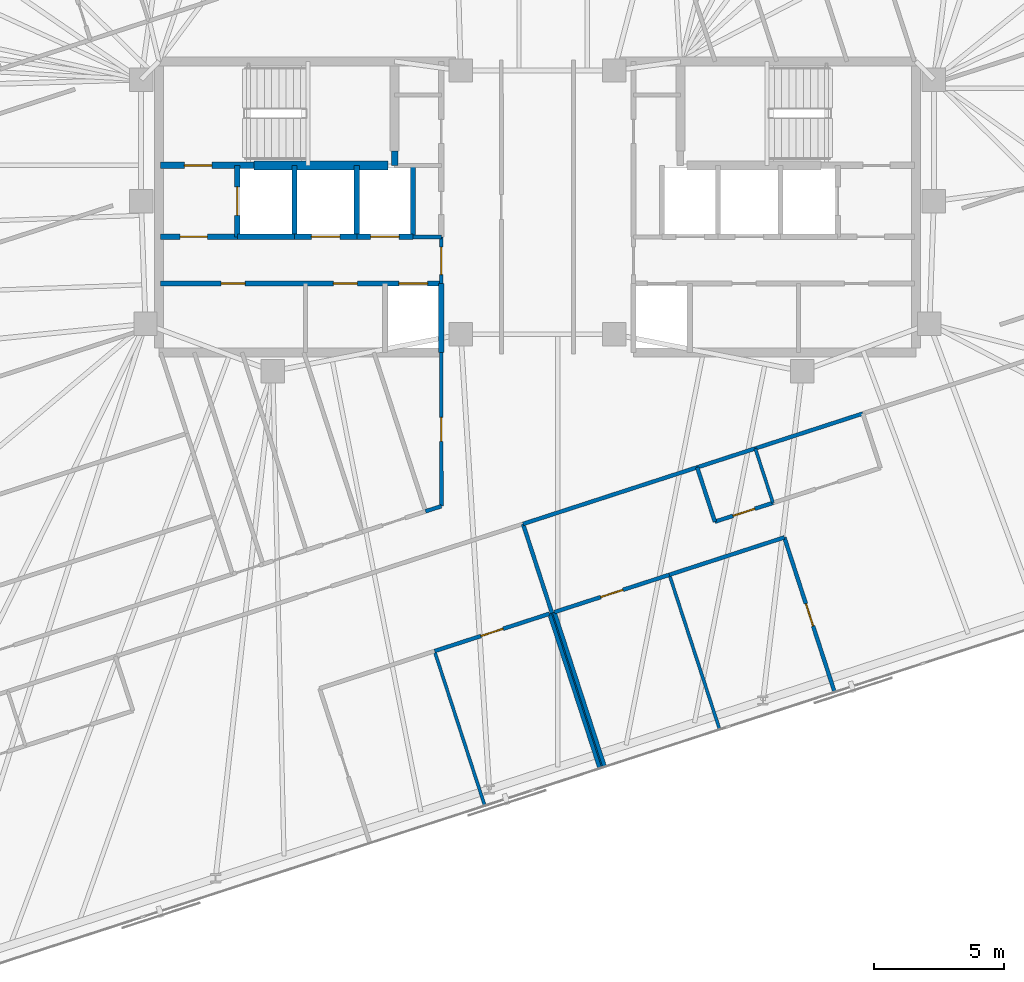
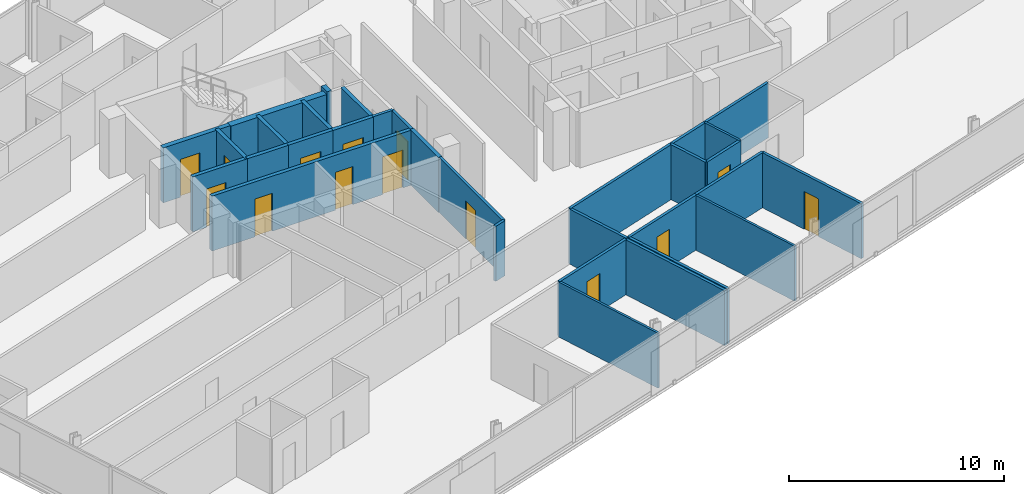
# One storey, part 14 of 20: 32 walls, 14 doors, 14 openings.
"""IFC4 building model written with IfcOpenShell, lengths in metres."""

import ifcopenshell
import ifcopenshell.guid

model = None  # the IFC model being written
_history = None  # IfcOwnerHistory: only IFC2X3 demands one
_inside = {}  # id of a spatial element -> (the spatial element, [elements in it])
_under = {}  # id of a project, library or spatial element -> (it, [spatial elements below it])
_declared = {}  # id of a project -> (the project, [libraries it declares])
_typed = {}  # id of a type object -> (the type object, [elements of that type])
_made_of = {}  # id of a material, layer set ... -> (it, [elements and type objects made of it])


def new_model(schema):
    """Start an empty IFC model of exactly this schema.

    Asked for "IFC4X3", IfcOpenShell would pick the latest addendum, in which some entities
    have other attributes; the version numbers below select the first issue.
    IFC2X3 requires an IfcOwnerHistory on every rooted entity: one is made here for all.
    """
    global model, _history
    if schema == "IFC4X3":
        model = ifcopenshell.file(schema_version=(4, 3, 0, 0))
    else:
        model = ifcopenshell.file(schema=schema)
    _inside.clear()
    _under.clear()
    _declared.clear()
    _typed.clear()
    _made_of.clear()
    _history = None
    if model.schema == "IFC2X3":
        org = make("IfcOrganization", Name="unknown")
        user = make(
            "IfcPersonAndOrganization",
            ThePerson=make("IfcPerson", FamilyName="unknown"),
            TheOrganization=org,
        )
        app = make(
            "IfcApplication",
            ApplicationDeveloper=org,
            Version="unknown",
            ApplicationFullName="unknown",
            ApplicationIdentifier="unknown",
        )
        _history = make(
            "IfcOwnerHistory",
            OwningUser=user,
            OwningApplication=app,
            ChangeAction="ADDED",
            CreationDate=0,
        )
    return model


def make(cls, **values):
    """One entity of the class cls with the attributes given. An attribute that is None is left unset."""
    return model.create_entity(
        cls, **{name: value for name, value in values.items() if value is not None}
    )


def rooted(cls, **values):
    """An entity with a GlobalId (a new one), such as an element, a storey or a relation."""
    return make(cls, GlobalId=ifcopenshell.guid.new(), OwnerHistory=_history, **values)


def si_unit(unit_type, name, prefix=None):
    """IfcSIUnit, for example si_unit("LENGTHUNIT", "METRE", prefix="MILLI")."""
    return make("IfcSIUnit", UnitType=unit_type, Prefix=prefix, Name=name)


def assignment(units):
    """IfcUnitAssignment: the units of a project."""
    return None if units is None else make("IfcUnitAssignment", Units=units)


def point(xyz):
    """IfcCartesianPoint."""
    return None if xyz is None else make("IfcCartesianPoint", Coordinates=xyz)


def direction(xyz):
    """IfcDirection."""
    return None if xyz is None else make("IfcDirection", DirectionRatios=xyz)


def frame(location, z_axis=None, x_axis=None):
    """IfcAxis2Placement3D, a coordinate frame: its origin and axes. An axis left out is left unset."""
    return make(
        "IfcAxis2Placement3D",
        Location=point(location),
        Axis=direction(z_axis),
        RefDirection=direction(x_axis),
    )


def frame_2d(location, x_axis=None):
    """IfcAxis2Placement2D, a coordinate frame in the plane: its origin and x axis."""
    return make(
        "IfcAxis2Placement2D", Location=point(location), RefDirection=direction(x_axis)
    )


def origin():
    """The frame at (0, 0, 0) with its axes left unset."""
    return frame((0.0, 0.0, 0.0))


def place(relative_to, where):
    """IfcLocalPlacement: puts the frame where relative to a parent placement (None: the world)."""
    return make(
        "IfcLocalPlacement", PlacementRelTo=relative_to, RelativePlacement=where
    )


def context(
    kind, dimensions, precision=None, world=None, true_north=None, identifier=None
):
    """IfcGeometricRepresentationContext, for example the 3D "Model" context."""
    return make(
        "IfcGeometricRepresentationContext",
        ContextIdentifier=identifier,
        ContextType=kind,
        CoordinateSpaceDimension=dimensions,
        Precision=precision,
        WorldCoordinateSystem=world,
        TrueNorth=true_north,
    )


def subcontext(parent, identifier, kind, view, scale=None):
    """IfcGeometricRepresentationSubContext, for example "Body" below "Model"."""
    return make(
        "IfcGeometricRepresentationSubContext",
        ContextIdentifier=identifier,
        ContextType=kind,
        ParentContext=parent,
        TargetScale=scale,
        TargetView=view,
    )


def project(units=None, contexts=None):
    """IfcProject with its units and contexts."""
    return rooted(
        "IfcProject",
        Name="project",
        RepresentationContexts=contexts,
        UnitsInContext=assignment(units),
    )


def spatial(cls, under=None, at=None, **own):
    """A site, building, storey or space (cls), placed at a placement, below another one or the project."""
    s = rooted(cls, ObjectPlacement=at, **own)
    if under is not None:
        _under.setdefault(under.id(), (under, []))[1].append(s)
    return s


def profile(cls, at=None, kind="AREA", **sizes):
    """A parametric profile (cls). Its sizes go by their IFC names, for example OverallWidth=200.0."""
    return make(cls, ProfileType=kind, Position=at, **sizes)


def rectangle(**sizes):
    """IfcRectangleProfileDef."""
    return profile("IfcRectangleProfileDef", **sizes)


def extrude(swept, where, along, depth):
    """IfcExtrudedAreaSolid: the profile swept, set in the frame where, extruded along a direction by depth."""
    return make(
        "IfcExtrudedAreaSolid",
        SweptArea=swept,
        Position=where,
        ExtrudedDirection=direction(along),
        Depth=depth,
    )


def shape(context_of_items, identifier, shape_type, items):
    """IfcShapeRepresentation: the items that make up one representation, for example the "Body"."""
    return make(
        "IfcShapeRepresentation",
        ContextOfItems=context_of_items,
        RepresentationIdentifier=identifier,
        RepresentationType=shape_type,
        Items=items,
    )


def material(Name=None, Category=None):
    """IfcMaterial."""
    return make("IfcMaterial", Name=Name, Category=Category)


def layer(
    of_material, thickness, ventilated=None, Name=None, Category=None, Priority=None
):
    """IfcMaterialLayer: one layer of a wall or slab, of a material (None: an air gap)."""
    return make(
        "IfcMaterialLayer",
        Material=of_material,
        LayerThickness=thickness,
        IsVentilated=ventilated,
        Name=Name,
        Category=Category,
        Priority=Priority,
    )


def layer_set(layers, Name=None):
    """IfcMaterialLayerSet."""
    return make("IfcMaterialLayerSet", MaterialLayers=layers, LayerSetName=Name)


def made_of(thing, what):
    """Note that an element or type object is made of a material, layer set ...; save() writes the relation."""
    if what is not None:
        _made_of.setdefault(what.id(), (what, []))[1].append(thing)
    return thing


def type_object(cls, material=None, **own):
    """A type object (cls), such as IfcWallType, which elements share."""
    return made_of(rooted(cls, **own), material)


def element(
    cls,
    number,
    at=None,
    inside=None,
    cuts=None,
    type_object=None,
    material=None,
    context=None,
    identifier="Body",
    shape_type=None,
    held_by="IfcProductDefinitionShape",
    body=None,
    shapes=None,
    **own,
):
    """One element of the class cls, such as IfcWall. Its Tag is "e" and its number.

    at: its placement. inside: the storey or other place that contains it. cuts: it is an
    opening in that element (IfcRelVoidsElement). A single representation is given by context,
    identifier, shape_type and body (its items); several are given by shapes. held_by: the class
    of the entity that holds the representations. save() writes the other relations.
    """
    e = rooted(cls, Tag="e%d" % number, ObjectPlacement=at, **own)
    if body is not None:
        shapes = [shape(context, identifier, shape_type, body)]
    if shapes is not None:
        e.Representation = make(held_by, Representations=shapes)
    if inside is not None:
        _inside.setdefault(inside.id(), (inside, []))[1].append(e)
    if cuts is not None:
        rooted(
            "IfcRelVoidsElement", RelatingBuildingElement=cuts, RelatedOpeningElement=e
        )
    if type_object is not None:
        _typed.setdefault(type_object.id(), (type_object, []))[1].append(e)
    return made_of(e, material)


def fill(opening, filler):
    """IfcRelFillsElement: the door or window that sits in an opening."""
    return rooted(
        "IfcRelFillsElement",
        RelatingOpeningElement=opening,
        RelatedBuildingElement=filler,
    )


def aggregate(whole, parts):
    """IfcRelAggregates: a whole, such as a stair, and the parts it consists of."""
    return rooted("IfcRelAggregates", RelatingObject=whole, RelatedObjects=parts)


def save(model, path):
    """Write the relations noted so far, then the file.

    IfcRelAggregates (storeys below a building ...), IfcRelContainedInSpatialStructure (elements
    in a storey), IfcRelDefinesByType, IfcRelAssociatesMaterial and IfcRelDeclares: one each for
    every whole, place, type object, material and project.
    """
    for whole, parts in _under.values():
        aggregate(whole, parts)
    for where, things in _inside.values():
        rooted(
            "IfcRelContainedInSpatialStructure",
            RelatedElements=things,
            RelatingStructure=where,
        )
    for kind, things in _typed.values():
        rooted("IfcRelDefinesByType", RelatedObjects=things, RelatingType=kind)
    for what, things in _made_of.values():
        rooted("IfcRelAssociatesMaterial", RelatedObjects=things, RelatingMaterial=what)
    for by, libraries in _declared.values():
        rooted("IfcRelDeclares", RelatingContext=by, RelatedDefinitions=libraries)
    model.write(path)


model = new_model("IFC4")

# Units and contexts
model_context = context("Model", 3, precision=1e-05, world=origin(), true_north=direction((0.0, 1.0)))
body_context = subcontext(model_context, "Body", "Model", "MODEL_VIEW")
ifc_project = project(units=[si_unit("LENGTHUNIT", "METRE"), si_unit("AREAUNIT", "SQUARE_METRE"), si_unit("VOLUMEUNIT", "CUBIC_METRE"), si_unit("PLANEANGLEUNIT", "RADIAN"), si_unit("MASSUNIT", "GRAM", prefix="KILO")], contexts=[model_context])

# Site, building, storey
site_placement = place(None, origin())
site = spatial("IfcSite", under=ifc_project, at=site_placement, CompositionType="ELEMENT")
building_placement = place(site_placement, origin())
building = spatial("IfcBuilding", under=site, at=building_placement, Name="Menara Jurai Vektor", CompositionType="ELEMENT")
storey_placement = place(building_placement, frame((0.0, 0.0, 244.39990234375)))
storey = spatial("IfcBuildingStorey", under=building, at=storey_placement, Name="L65", CompositionType="ELEMENT", Elevation=244.39990234375)

# Wall, opening, door
ifc_material_1 = material(Name="Concrete C40/50", Category="concrete")
ifc_layer_1 = layer(ifc_material_1, 0.25)
ifc_layer_set_1 = layer_set([ifc_layer_1], Name="Concrete C40/50")
wall_type_1 = type_object("IfcWallType", Name="INT-WALL-CORE-250", PredefinedType="STANDARD", material=ifc_layer_set_1)
wall_1_placement = place(storey_placement, frame((-14.5, 1.60009765625, 0.0), z_axis=(0.0, 0.0, 1.0), x_axis=(1.0, 0.0, 0.0)))
wall_1 = element("IfcWall", 1, at=wall_1_placement, inside=storey, type_object=wall_type_1, Name="Interior Wall IW-250 L65", PredefinedType="STANDARD", context=body_context, shape_type="SweptSolid", body=[
    extrude(rectangle(XDim=3.60009765625, YDim=0.25, at=frame_2d((1.800048828125, 0.0))), origin(), (0.0, 0.0, 1.0), 3.125),
])
opening_1_placement = place(wall_1_placement, frame((0.919921875, 0.0, 0.0)))
opening_1 = element("IfcOpeningElement", 2, at=opening_1_placement, cuts=wall_1, Name="Opening D-L65-ST1", PredefinedType="OPENING", context=body_context, shape_type="SweptSolid", body=[
    extrude(rectangle(XDim=1.050048828125, YDim=2.14990234375, at=frame_2d((0.52490234375, 1.074951171875))), frame((0.0, 0.135009765625, 0.0), z_axis=(0.0, -1.0, 0.0), x_axis=(1.0, 0.0, 0.0)), (0.0, 0.0, 1.0), 0.27001953125),
])
ifc_material_2 = material(Name="Fire-Rated Steel Door", Category="steel")
door_type_1 = type_object("IfcDoorType", Name="DR-STAIR-1050", OperationType="NOTDEFINED", PredefinedType="DOOR", material=ifc_material_2)
door_1_placement = place(opening_1_placement, origin())
door_1 = element("IfcDoor", 3, at=door_1_placement, inside=storey, type_object=door_type_1, Name="Exit Stair ST1 Door L65", OperationType="SINGLE_SWING_RIGHT", OverallHeight=2.14990234375, OverallWidth=1.050048828125, PredefinedType="DOOR", context=body_context, shape_type="SweptSolid", body=[
    extrude(rectangle(XDim=1.050048828125, YDim=2.14990234375, at=frame_2d((0.52490234375, 1.074951171875))), frame((0.0, 0.02490234375, 0.0), z_axis=(0.0, -1.0, 0.0), x_axis=(1.0, 0.0, 0.0)), (0.0, 0.0, 1.0), 0.050048828125),
])
fill(opening_1, door_1)

# Wall
wall_2_placement = place(storey_placement, frame((-5.5, 1.60009765625, 0.0), z_axis=(0.0, 0.0, 1.0), x_axis=(0.0, 1.0, 0.0)))
element("IfcWall", 4, at=wall_2_placement, inside=storey, type_object=wall_type_1, Name="Interior Wall IW-250 L65", PredefinedType="STANDARD", context=body_context, shape_type="SweptSolid", body=[
    extrude(rectangle(XDim=0.5498046875, YDim=0.25, at=frame_2d((0.27490234375, 0.0))), origin(), (0.0, 0.0, 1.0), 3.125),
])

# Wall, opening, door
wall_3_placement = place(storey_placement, frame((-11.550048828125, -1.14990234375, 0.0), z_axis=(0.0, 0.0, 1.0), x_axis=(0.0, 1.0, 0.0)))
wall_3 = element("IfcWall", 5, at=wall_3_placement, inside=storey, type_object=wall_type_1, Name="Interior Wall IW-250 L65", PredefinedType="STANDARD", context=body_context, shape_type="SweptSolid", body=[
    extrude(rectangle(XDim=2.75, YDim=0.199951171875, at=frame_2d((1.375, 0.0))), origin(), (0.0, 0.0, 1.0), 3.125),
])
opening_2_placement = place(wall_3_placement, frame((0.824951171875, 0.0, 0.0)))
opening_2 = element("IfcOpeningElement", 6, at=opening_2_placement, cuts=wall_3, Name="Opening LD-L65-FL1", PredefinedType="OPENING", context=body_context, shape_type="SweptSolid", body=[
    extrude(rectangle(XDim=1.10009765625, YDim=2.14990234375, at=frame_2d((0.550048828125, 1.074951171875))), frame((0.0, 0.10986328125, 0.0), z_axis=(0.0, -1.0, 0.0), x_axis=(1.0, 0.0, 0.0)), (0.0, 0.0, 1.0), 0.219970703125),
])
ifc_material_3 = material(Name="Stainless Steel Sliding Lift Landing Door", Category="steel")
door_type_2 = type_object("IfcDoorType", Name="DR-LIFT-FIRE-1100", OperationType="NOTDEFINED", PredefinedType="DOOR", material=ifc_material_3)
door_2_placement = place(opening_2_placement, origin())
door_2 = element("IfcDoor", 7, at=door_2_placement, inside=storey, type_object=door_type_2, Name="Lift Landing Door FL1 L65", OperationType="SLIDING_TO_RIGHT", OverallHeight=2.14990234375, OverallWidth=1.10009765625, PredefinedType="DOOR", context=body_context, shape_type="SweptSolid", body=[
    extrude(rectangle(XDim=1.10009765625, YDim=2.14990234375, at=frame_2d((0.550048828125, 1.074951171875))), frame((0.0, 0.02490234375, 0.0), z_axis=(0.0, -1.0, 0.0), x_axis=(1.0, 0.0, 0.0)), (0.0, 0.0, 1.0), 0.050048828125),
])
fill(opening_2, door_2)

# Wall
wall_4_placement = place(storey_placement, frame((-9.35009765625, -1.14990234375, 0.0), z_axis=(0.0, 0.0, 1.0), x_axis=(0.0, 1.0, 0.0)))
element("IfcWall", 8, at=wall_4_placement, inside=storey, type_object=wall_type_1, Name="Interior Wall IW-250 L65", PredefinedType="STANDARD", context=body_context, shape_type="SweptSolid", body=[
    extrude(rectangle(XDim=2.75, YDim=0.199951171875, at=frame_2d((1.375, 0.0))), origin(), (0.0, 0.0, 1.0), 3.125),
])

# Wall, opening, door
wall_5_placement = place(storey_placement, frame((-14.5, -1.14990234375, 0.0), z_axis=(0.0, 0.0, 1.0), x_axis=(1.0, 0.0, 0.0)))
wall_5 = element("IfcWall", 9, at=wall_5_placement, inside=storey, type_object=wall_type_1, Name="Interior Wall IW-250 L65", PredefinedType="STANDARD", context=body_context, shape_type="SweptSolid", body=[
    extrude(rectangle(XDim=2.949951171875, YDim=0.199951171875, at=frame_2d((1.47509765625, 0.0))), origin(), (0.0, 0.0, 1.0), 3.125),
])
opening_3_placement = place(wall_5_placement, frame((0.75, 0.0, 0.0)))
opening_3 = element("IfcOpeningElement", 10, at=opening_3_placement, cuts=wall_5, Name="Opening D-L65-FFW", PredefinedType="OPENING", context=body_context, shape_type="SweptSolid", body=[
    extrude(rectangle(XDim=1.050048828125, YDim=2.179931640625, at=frame_2d((0.52490234375, 1.08984375))), frame((0.0, 0.10986328125, 0.0), z_axis=(0.0, -1.0, 0.0), x_axis=(1.0, 0.0, 0.0)), (0.0, 0.0, 1.0), 0.219970703125),
])
ifc_material_4 = material(Name="Fire-Rated Timber Door", Category="wood")
door_type_3 = type_object("IfcDoorType", Name="DR-LOBBY-1050", OperationType="NOTDEFINED", PredefinedType="DOOR", material=ifc_material_4)
door_3_placement = place(opening_3_placement, origin())
door_3 = element("IfcDoor", 11, at=door_3_placement, inside=storey, type_object=door_type_3, Name="Fire Lift Lobby Door W L65", OperationType="SINGLE_SWING_RIGHT", OverallHeight=2.179931640625, OverallWidth=1.050048828125, PredefinedType="DOOR", context=body_context, shape_type="SweptSolid", body=[
    extrude(rectangle(XDim=1.050048828125, YDim=2.179931640625, at=frame_2d((0.52490234375, 1.08984375))), frame((0.0, 0.02490234375, 0.0), z_axis=(0.0, -1.0, 0.0), x_axis=(1.0, 0.0, 0.0)), (0.0, 0.0, 1.0), 0.050048828125),
])
fill(opening_3, door_3)

# Wall
wall_6_placement = place(storey_placement, frame((-11.550048828125, -1.14990234375, 0.0), z_axis=(0.0, 0.0, 1.0), x_axis=(1.0, 0.0, 0.0)))
element("IfcWall", 12, at=wall_6_placement, inside=storey, type_object=wall_type_1, Name="Interior Wall IW-250 L65", PredefinedType="STANDARD", context=body_context, shape_type="SweptSolid", body=[
    extrude(rectangle(XDim=2.199951171875, YDim=0.199951171875, at=frame_2d((1.10009765625, 0.0))), origin(), (0.0, 0.0, 1.0), 3.125),
])

# Wall, opening, door
ifc_material_5 = material(Name="Gypsum Fireboard Partition", Category="gypsum")
ifc_layer_2 = layer(ifc_material_5, 0.14990234375)
ifc_layer_set_2 = layer_set([ifc_layer_2], Name="Gypsum Fireboard Partition")
wall_type_2 = type_object("IfcWallType", Name="INT-WALL-CORR-150", PredefinedType="PARTITIONING", material=ifc_layer_set_2)
wall_7_placement = place(storey_placement, frame((-3.699951171875, -2.949951171875, 0.0), z_axis=(0.0, 0.0, 1.0), x_axis=(0.0, 1.0, 0.0)))
wall_7 = element("IfcWall", 13, at=wall_7_placement, inside=storey, type_object=wall_type_2, Name="Interior Wall IW-150 L65", PredefinedType="PARTITIONING", context=body_context, shape_type="SweptSolid", body=[
    extrude(rectangle(XDim=1.800048828125, YDim=0.14990234375, at=frame_2d((0.89990234375, 0.0))), origin(), (0.0, 0.0, 1.0), 3.125),
])
opening_4_placement = place(wall_7_placement, frame((0.35009765625, 0.0, 0.0)))
opening_4 = element("IfcOpeningElement", 14, at=opening_4_placement, cuts=wall_7, Name="Opening D-L65-LLW", PredefinedType="OPENING", context=body_context, shape_type="SweptSolid", body=[
    extrude(rectangle(XDim=1.050048828125, YDim=2.179931640625, at=frame_2d((0.52490234375, 1.08984375))), frame((0.0, 0.0849609375, 0.0), z_axis=(0.0, -1.0, 0.0), x_axis=(1.0, 0.0, 0.0)), (0.0, 0.0, 1.0), 0.169921875),
])
door_4_placement = place(opening_4_placement, origin())
door_4 = element("IfcDoor", 15, at=door_4_placement, inside=storey, type_object=door_type_3, Name="Lift Lobby Corridor Door W L65", OperationType="SINGLE_SWING_LEFT", OverallHeight=2.179931640625, OverallWidth=1.050048828125, PredefinedType="DOOR", context=body_context, shape_type="SweptSolid", body=[
    extrude(rectangle(XDim=1.050048828125, YDim=2.179931640625, at=frame_2d((0.52490234375, 1.08984375))), frame((0.0, 0.02490234375, 0.0), z_axis=(0.0, -1.0, 0.0), x_axis=(1.0, 0.0, 0.0)), (0.0, 0.0, 1.0), 0.050048828125),
])
fill(opening_4, door_4)

# Walls
wall_8_placement = place(storey_placement, frame((-4.7900390625, -1.14990234375, 0.0), z_axis=(0.0, 0.0, 1.0), x_axis=(1.0, 0.0, 0.0)))
element("IfcWall", 16, at=wall_8_placement, inside=storey, type_object=wall_type_2, Name="Interior Wall IW-150 L65", PredefinedType="PARTITIONING", context=body_context, shape_type="SweptSolid", body=[
    extrude(rectangle(XDim=1.090087890625, YDim=0.14990234375, at=frame_2d((0.544921875, 0.0))), origin(), (0.0, 0.0, 1.0), 3.125),
])
wall_9_placement = place(storey_placement, frame((-0.55517578125, -12.1953125, 0.0), z_axis=(0.0, 0.0, 1.0), x_axis=(0.951057495482, 0.309013980732, 0.0)))
element("IfcWall", 17, at=wall_9_placement, inside=storey, type_object=wall_type_2, Name="Interior Wall IW-150 L65", PredefinedType="PARTITIONING", context=body_context, shape_type="SweptSolid", body=[
    extrude(rectangle(XDim=7.044921875, YDim=0.14990234375, at=frame_2d((3.5224609375, 0.0))), origin(), (0.0, 0.0, 1.0), 3.125),
])
wall_10_placement = place(storey_placement, frame((6.14501953125, -10.018310546875, 0.0), z_axis=(0.0, 0.0, 1.0), x_axis=(0.951035595692, 0.309081373955, 0.0)))
element("IfcWall", 18, at=wall_10_placement, inside=storey, type_object=wall_type_2, Name="Interior Wall IW-150 L65", PredefinedType="PARTITIONING", context=body_context, shape_type="SweptSolid", body=[
    extrude(rectangle(XDim=2.349853515625, YDim=0.14990234375, at=frame_2d((1.1748046875, 0.0))), origin(), (0.0, 0.0, 1.0), 3.125),
])
wall_11_placement = place(storey_placement, frame((8.3798828125, -9.2919921875, 0.0), z_axis=(0.0, 0.0, 1.0), x_axis=(0.951074479912, 0.30896170258, 0.0)))
element("IfcWall", 19, at=wall_11_placement, inside=storey, type_object=wall_type_2, Name="Interior Wall IW-150 L65", PredefinedType="PARTITIONING", context=body_context, shape_type="SweptSolid", body=[
    extrude(rectangle(XDim=4.35009765625, YDim=0.14990234375, at=frame_2d((2.175048828125, 0.0))), origin(), (0.0, 0.0, 1.0), 3.125),
])
wall_12_placement = place(storey_placement, frame((-4.306396484375, -11.710693359375, 0.0), z_axis=(0.0, 0.0, 1.0), x_axis=(0.95110436063, 0.308869705847, 0.0)))
element("IfcWall", 20, at=wall_12_placement, inside=storey, type_object=wall_type_2, Name="Interior Wall IW-150 L65", PredefinedType="PARTITIONING", context=body_context, shape_type="SweptSolid", body=[
    extrude(rectangle(XDim=0.637939453125, YDim=0.14990234375, at=frame_2d((0.31884765625, 0.0))), origin(), (0.0, 0.0, 1.0), 3.125),
])

# Wall, opening, door
wall_13_placement = place(storey_placement, frame((-3.69970703125, -11.513671875, 0.0), z_axis=(0.0, 0.0, 1.0), x_axis=(-8.2572974e-05, 0.999999996591, 0.0)))
wall_13 = element("IfcWall", 21, at=wall_13_placement, inside=storey, type_object=wall_type_2, Name="Interior Wall IW-150 L65", PredefinedType="PARTITIONING", context=body_context, shape_type="SweptSolid", body=[
    extrude(rectangle(XDim=5.913330078125, YDim=0.14990234375, at=frame_2d((2.95654296875, 0.0))), origin(), (0.0, 0.0, 1.0), 3.125),
])
opening_5_placement = place(wall_13_placement, frame((2.49658203125, 0.0, 0.0)))
opening_5 = element("IfcOpeningElement", 22, at=opening_5_placement, cuts=wall_13, Name="Opening D65-48", PredefinedType="OPENING", context=body_context, shape_type="SweptSolid", body=[
    extrude(rectangle(XDim=0.919921875, YDim=2.14990234375, at=frame_2d((0.4599609375, 1.074951171875))), frame((0.0, 0.0849609375, 0.0), z_axis=(0.0, -1.0, 0.0), x_axis=(1.0, 0.0, 0.0)), (0.0, 0.0, 1.0), 0.169921875),
])
ifc_material_6 = material(Name="Solid Core Timber Fire Door", Category="wood")
door_type_4 = type_object("IfcDoorType", Name="DR-ENTRY-950", OperationType="NOTDEFINED", PredefinedType="DOOR", material=ifc_material_6)
door_5_placement = place(opening_5_placement, origin())
door_5 = element("IfcDoor", 23, at=door_5_placement, inside=storey, type_object=door_type_4, Name="Interior Door D65-48", OperationType="SINGLE_SWING_LEFT", OverallHeight=2.14990234375, OverallWidth=0.919921875, PredefinedType="DOOR", context=body_context, shape_type="SweptSolid", body=[
    extrude(rectangle(XDim=0.919921875, YDim=2.14990234375, at=frame_2d((0.4599609375, 1.074951171875))), frame((0.0, 0.02490234375, 0.0), z_axis=(0.0, -1.0, 0.0), x_axis=(1.0, 0.0, 0.0)), (0.0, 0.0, 1.0), 0.050048828125),
])
fill(opening_5, door_5)

wall_14_placement = place(storey_placement, frame((-3.960205078125, -17.0869140625, 0.0), z_axis=(0.0, 0.0, 1.0), x_axis=(0.951050272606, 0.309036209813, 0.0)))
wall_14 = element("IfcWall", 24, at=wall_14_placement, inside=storey, type_object=wall_type_2, Name="Interior Wall IW-150 L65", PredefinedType="PARTITIONING", context=body_context, shape_type="SweptSolid", body=[
    extrude(rectangle(XDim=4.64990234375, YDim=0.14990234375, at=frame_2d((2.324951171875, 0.0))), origin(), (0.0, 0.0, 1.0), 3.125),
])
opening_6_placement = place(wall_14_placement, frame((1.875, 0.0, 0.0)))
opening_6 = element("IfcOpeningElement", 25, at=opening_6_placement, cuts=wall_14, Name="Opening D65-33", PredefinedType="OPENING", context=body_context, shape_type="SweptSolid", body=[
    extrude(rectangle(XDim=0.89990234375, YDim=2.14990234375, at=frame_2d((0.449951171875, 1.074951171875))), frame((0.0, 0.0849609375, 0.0), z_axis=(0.0, -1.0, 0.0), x_axis=(1.0, 0.0, 0.0)), (0.0, 0.0, 1.0), 0.169921875),
])
ifc_material_7 = material(Name="Acoustic Timber Interior Door", Category="wood")
door_type_5 = type_object("IfcDoorType", Name="DR-ROOM-900", OperationType="NOTDEFINED", PredefinedType="DOOR", material=ifc_material_7)
door_6_placement = place(opening_6_placement, origin())
door_6 = element("IfcDoor", 26, at=door_6_placement, inside=storey, type_object=door_type_5, Name="Interior Door D65-33", OperationType="SINGLE_SWING_RIGHT", OverallHeight=2.14990234375, OverallWidth=0.89990234375, PredefinedType="DOOR", context=body_context, shape_type="SweptSolid", body=[
    extrude(rectangle(XDim=0.89990234375, YDim=2.14990234375, at=frame_2d((0.449951171875, 1.074951171875))), frame((0.0, 0.02490234375, 0.0), z_axis=(0.0, -1.0, 0.0), x_axis=(1.0, 0.0, 0.0)), (0.0, 0.0, 1.0), 0.050048828125),
])
fill(opening_6, door_6)

# Walls
wall_15_placement = place(storey_placement, frame((2.397216796875, -21.60546875, 0.0), z_axis=(0.0, 0.0, 1.0), x_axis=(-0.309013782848, 0.951057559777, 0.0)))
element("IfcWall", 27, at=wall_15_placement, inside=storey, type_object=wall_type_2, Name="Interior Wall IW-150 L65", PredefinedType="PARTITIONING", context=body_context, shape_type="SweptSolid", body=[
    extrude(rectangle(XDim=6.261962890625, YDim=0.14990234375, at=frame_2d((3.130859375, 0.0))), origin(), (0.0, 0.0, 1.0), 3.125),
])
wall_16_placement = place(storey_placement, frame((2.4921875, -21.57470703125, 0.0), z_axis=(0.0, 0.0, 1.0), x_axis=(-0.308999867152, 0.951062081097, 0.0)))
element("IfcWall", 28, at=wall_16_placement, inside=storey, type_object=wall_type_2, Name="Interior Wall IW-150 L65", PredefinedType="PARTITIONING", context=body_context, shape_type="SweptSolid", body=[
    extrude(rectangle(XDim=9.862060546875, YDim=0.14990234375, at=frame_2d((4.93115234375, 0.0))), origin(), (0.0, 0.0, 1.0), 3.125),
])
wall_17_placement = place(storey_placement, frame((6.82470703125, -12.110595703125, 0.0), z_axis=(0.0, 0.0, 1.0), x_axis=(-0.308960600764, 0.951074837842, 0.0)))
element("IfcWall", 29, at=wall_17_placement, inside=storey, type_object=wall_type_2, Name="Interior Wall IW-150 L65", PredefinedType="PARTITIONING", context=body_context, shape_type="SweptSolid", body=[
    extrude(rectangle(XDim=2.199951171875, YDim=0.14990234375, at=frame_2d((1.10009765625, 0.0))), origin(), (0.0, 0.0, 1.0), 3.125),
])

# Wall, opening, door
wall_18_placement = place(storey_placement, frame((6.82470703125, -12.110595703125, 0.0), z_axis=(0.0, 0.0, 1.0), x_axis=(0.951076048914, 0.308956872689, 0.0)))
wall_18 = element("IfcWall", 30, at=wall_18_placement, inside=storey, type_object=wall_type_2, Name="Interior Wall IW-150 L65", PredefinedType="PARTITIONING", context=body_context, shape_type="SweptSolid", body=[
    extrude(rectangle(XDim=2.35009765625, YDim=0.14990234375, at=frame_2d((1.175048828125, 0.0))), origin(), (0.0, 0.0, 1.0), 3.125),
])
opening_7_placement = place(wall_18_placement, frame((0.735107421875, 0.0, 0.0)))
opening_7 = element("IfcOpeningElement", 31, at=opening_7_placement, cuts=wall_18, Name="Opening D65-35", PredefinedType="OPENING", context=body_context, shape_type="SweptSolid", body=[
    extrude(rectangle(XDim=0.8798828125, YDim=2.14990234375, at=frame_2d((0.43994140625, 1.074951171875))), frame((0.0, 0.0849609375, 0.0), z_axis=(0.0, -1.0, 0.0), x_axis=(1.0, 0.0, 0.0)), (0.0, 0.0, 1.0), 0.169921875),
])
ifc_material_8 = material(Name="Moisture-Resistant Timber Door", Category="wood")
door_type_6 = type_object("IfcDoorType", Name="DR-BATH-880", OperationType="NOTDEFINED", PredefinedType="DOOR", material=ifc_material_8)
door_7_placement = place(opening_7_placement, origin())
door_7 = element("IfcDoor", 32, at=door_7_placement, inside=storey, type_object=door_type_6, Name="Interior Door D65-35", OperationType="SINGLE_SWING_RIGHT", OverallHeight=2.14990234375, OverallWidth=0.8798828125, PredefinedType="DOOR", context=body_context, shape_type="SweptSolid", body=[
    extrude(rectangle(XDim=0.8798828125, YDim=2.14990234375, at=frame_2d((0.43994140625, 1.074951171875))), frame((0.0, 0.02490234375, 0.0), z_axis=(0.0, -1.0, 0.0), x_axis=(1.0, 0.0, 0.0)), (0.0, 0.0, 1.0), 0.050048828125),
])
fill(opening_7, door_7)

# Wall
wall_19_placement = place(storey_placement, frame((2.58740234375, -21.543701171875, 0.0), z_axis=(0.0, 0.0, 1.0), x_axis=(-0.309013782848, 0.951057559777, 0.0)))
element("IfcWall", 33, at=wall_19_placement, inside=storey, type_object=wall_type_2, Name="Interior Wall IW-150 L65", PredefinedType="PARTITIONING", context=body_context, shape_type="SweptSolid", body=[
    extrude(rectangle(XDim=6.261962890625, YDim=0.14990234375, at=frame_2d((3.130859375, 0.0))), origin(), (0.0, 0.0, 1.0), 3.125),
])

# Wall, opening, door
wall_20_placement = place(storey_placement, frame((0.65234375, -15.588134765625, 0.0), z_axis=(0.0, 0.0, 1.0), x_axis=(0.951065702951, 0.308988719326, 0.0)))
wall_20 = element("IfcWall", 34, at=wall_20_placement, inside=storey, type_object=wall_type_2, Name="Interior Wall IW-150 L65", PredefinedType="PARTITIONING", context=body_context, shape_type="SweptSolid", body=[
    extrude(rectangle(XDim=4.64990234375, YDim=0.14990234375, at=frame_2d((2.324951171875, 0.0))), origin(), (0.0, 0.0, 1.0), 3.125),
])
opening_8_placement = place(wall_20_placement, frame((1.875, 0.0, 0.0)))
opening_8 = element("IfcOpeningElement", 35, at=opening_8_placement, cuts=wall_20, Name="Opening D65-37", PredefinedType="OPENING", context=body_context, shape_type="SweptSolid", body=[
    extrude(rectangle(XDim=0.89990234375, YDim=2.14990234375, at=frame_2d((0.449951171875, 1.074951171875))), frame((0.0, 0.0849609375, 0.0), z_axis=(0.0, -1.0, 0.0), x_axis=(1.0, 0.0, 0.0)), (0.0, 0.0, 1.0), 0.169921875),
])
door_8_placement = place(opening_8_placement, origin())
door_8 = element("IfcDoor", 36, at=door_8_placement, inside=storey, type_object=door_type_5, Name="Interior Door D65-37", OperationType="SINGLE_SWING_RIGHT", OverallHeight=2.14990234375, OverallWidth=0.89990234375, PredefinedType="DOOR", context=body_context, shape_type="SweptSolid", body=[
    extrude(rectangle(XDim=0.89990234375, YDim=2.14990234375, at=frame_2d((0.449951171875, 1.074951171875))), frame((0.0, 0.02490234375, 0.0), z_axis=(0.0, -1.0, 0.0), x_axis=(1.0, 0.0, 0.0)), (0.0, 0.0, 1.0), 0.050048828125),
])
fill(opening_8, door_8)

# Wall
wall_21_placement = place(storey_placement, frame((5.07470703125, -14.1513671875, 0.0), z_axis=(0.0, 0.0, 1.0), x_axis=(0.951055286502, 0.309020779263, 0.0)))
element("IfcWall", 37, at=wall_21_placement, inside=storey, type_object=wall_type_2, Name="Interior Wall IW-150 L65", PredefinedType="PARTITIONING", context=body_context, shape_type="SweptSolid", body=[
    extrude(rectangle(XDim=4.650146484375, YDim=0.14990234375, at=frame_2d((2.3251953125, 0.0))), origin(), (0.0, 0.0, 1.0), 3.125),
])

# Wall, opening, door
wall_22_placement = place(storey_placement, frame((11.432373046875, -18.669921875, 0.0), z_axis=(0.0, 0.0, 1.0), x_axis=(-0.309013782848, 0.951057559777, 0.0)))
wall_22 = element("IfcWall", 38, at=wall_22_placement, inside=storey, type_object=wall_type_2, Name="Interior Wall IW-150 L65", PredefinedType="PARTITIONING", context=body_context, shape_type="SweptSolid", body=[
    extrude(rectangle(XDim=6.261962890625, YDim=0.14990234375, at=frame_2d((3.130859375, 0.0))), origin(), (0.0, 0.0, 1.0), 3.125),
])
opening_9_placement = place(wall_22_placement, frame((2.680908203125, 0.0, 0.0)))
opening_9 = element("IfcOpeningElement", 39, at=opening_9_placement, cuts=wall_22, Name="Opening D65-38", PredefinedType="OPENING", context=body_context, shape_type="SweptSolid", body=[
    extrude(rectangle(XDim=0.89990234375, YDim=2.14990234375, at=frame_2d((0.449951171875, 1.074951171875))), frame((0.0, 0.0849609375, 0.0), z_axis=(0.0, -1.0, 0.0), x_axis=(1.0, 0.0, 0.0)), (0.0, 0.0, 1.0), 0.169921875),
])
door_9_placement = place(opening_9_placement, origin())
door_9 = element("IfcDoor", 40, at=door_9_placement, inside=storey, type_object=door_type_5, Name="Interior Door D65-38", OperationType="SINGLE_SWING_LEFT", OverallHeight=2.14990234375, OverallWidth=0.89990234375, PredefinedType="DOOR", context=body_context, shape_type="SweptSolid", body=[
    extrude(rectangle(XDim=0.89990234375, YDim=2.14990234375, at=frame_2d((0.449951171875, 1.074951171875))), frame((0.0, 0.02490234375, 0.0), z_axis=(0.0, -1.0, 0.0), x_axis=(1.0, 0.0, 0.0)), (0.0, 0.0, 1.0), 0.050048828125),
])
fill(opening_9, door_9)

# Walls
ifc_material_9 = material(Name="Gypsum Acoustic Stud Partition", Category="gypsum")
ifc_layer_3 = layer(ifc_material_9, 0.1201171875)
ifc_layer_set_3 = layer_set([ifc_layer_3], Name="Gypsum Acoustic Stud Partition")
wall_type_3 = type_object("IfcWallType", Name="INT-WALL-PART-120", PredefinedType="PARTITIONING", material=ifc_layer_set_3)
wall_23_placement = place(storey_placement, frame((-2.025146484375, -23.04248046875, 0.0), z_axis=(0.0, 0.0, 1.0), x_axis=(-0.309013782848, 0.951057559777, 0.0)))
element("IfcWall", 41, at=wall_23_placement, inside=storey, type_object=wall_type_3, Name="Interior Wall IW-120 L65", PredefinedType="PARTITIONING", context=body_context, shape_type="SweptSolid", body=[
    extrude(rectangle(XDim=6.261962890625, YDim=0.1201171875, at=frame_2d((3.130859375, 0.0))), origin(), (0.0, 0.0, 1.0), 3.125),
])
wall_24_placement = place(storey_placement, frame((9.059814453125, -11.384521484375, 0.0), z_axis=(0.0, 0.0, 1.0), x_axis=(-0.309028364152, 0.951052821956, 0.0)))
element("IfcWall", 42, at=wall_24_placement, inside=storey, type_object=wall_type_3, Name="Interior Wall IW-120 L65", PredefinedType="PARTITIONING", context=body_context, shape_type="SweptSolid", body=[
    extrude(rectangle(XDim=2.2001953125, YDim=0.1201171875, at=frame_2d((1.10009765625, 0.0))), origin(), (0.0, 0.0, 1.0), 3.125),
])
wall_25_placement = place(storey_placement, frame((7.009765625, -20.106689453125, 0.0), z_axis=(0.0, 0.0, 1.0), x_axis=(-0.30902524124, 0.951053836687, 0.0)))
element("IfcWall", 43, at=wall_25_placement, inside=storey, type_object=wall_type_3, Name="Interior Wall IW-120 L65", PredefinedType="PARTITIONING", context=body_context, shape_type="SweptSolid", body=[
    extrude(rectangle(XDim=6.26171875, YDim=0.1201171875, at=frame_2d((3.130859375, 0.0))), origin(), (0.0, 0.0, 1.0), 3.125),
])
ifc_layer_4 = layer(ifc_material_1, 0.199951171875)
ifc_layer_set_4 = layer_set([ifc_layer_4], Name="Concrete C40/50")
wall_type_4 = type_object("IfcWallType", Name="INT-WALL-SHAFT-200", PredefinedType="STANDARD", material=ifc_layer_set_4)
wall_26_placement = place(storey_placement, frame((-3.699951171875, -5.60009765625, 0.0), z_axis=(0.0, 0.0, 1.0), x_axis=(0.0, 1.0, 0.0)))
element("IfcWall", 44, at=wall_26_placement, inside=storey, type_object=wall_type_4, Name="Interior Wall IW-200 L65", PredefinedType="STANDARD", context=body_context, shape_type="SweptSolid", body=[
    extrude(rectangle(XDim=2.650146484375, YDim=0.199951171875, at=frame_2d((1.3251953125, 0.0))), origin(), (0.0, 0.0, 1.0), 3.125),
])
wall_27_placement = place(storey_placement, frame((-6.949951171875, -1.14990234375, 0.0), z_axis=(0.0, 0.0, 1.0), x_axis=(0.0, 1.0, 0.0)))
element("IfcWall", 45, at=wall_27_placement, inside=storey, type_object=wall_type_4, Name="Interior Wall IW-200 L65", PredefinedType="STANDARD", context=body_context, shape_type="SweptSolid", body=[
    extrude(rectangle(XDim=2.75, YDim=0.199951171875, at=frame_2d((1.375, 0.0))), origin(), (0.0, 0.0, 1.0), 3.125),
])

# Wall, opening, door
wall_28_placement = place(storey_placement, frame((-9.35009765625, -1.14990234375, 0.0), z_axis=(0.0, 0.0, 1.0), x_axis=(1.0, 0.0, 0.0)))
wall_28 = element("IfcWall", 46, at=wall_28_placement, inside=storey, type_object=wall_type_4, Name="Interior Wall IW-200 L65", PredefinedType="STANDARD", context=body_context, shape_type="SweptSolid", body=[
    extrude(rectangle(XDim=2.400146484375, YDim=0.199951171875, at=frame_2d((1.2001953125, 0.0))), origin(), (0.0, 0.0, 1.0), 3.125),
])
opening_10_placement = place(wall_28_placement, frame((0.64990234375, 0.0, 0.0)))
opening_10 = element("IfcOpeningElement", 47, at=opening_10_placement, cuts=wall_28, Name="Opening LD-L65-SVL1", PredefinedType="OPENING", context=body_context, shape_type="SweptSolid", body=[
    extrude(rectangle(XDim=1.10009765625, YDim=2.14990234375, at=frame_2d((0.550048828125, 1.074951171875))), frame((0.0, 0.10986328125, 0.0), z_axis=(0.0, -1.0, 0.0), x_axis=(1.0, 0.0, 0.0)), (0.0, 0.0, 1.0), 0.219970703125),
])
ifc_material_10 = material(Name="Anodised Stainless Sliding Lift Landing Door", Category="steel")
door_type_7 = type_object("IfcDoorType", Name="DR-LIFT-PASS-1100", OperationType="NOTDEFINED", PredefinedType="DOOR", material=ifc_material_10)
door_10_placement = place(opening_10_placement, origin())
door_10 = element("IfcDoor", 48, at=door_10_placement, inside=storey, type_object=door_type_7, Name="Lift Landing Door SVL1 L65", OperationType="SLIDING_TO_RIGHT", OverallHeight=2.14990234375, OverallWidth=1.10009765625, PredefinedType="DOOR", context=body_context, shape_type="SweptSolid", body=[
    extrude(rectangle(XDim=1.10009765625, YDim=2.14990234375, at=frame_2d((0.550048828125, 1.074951171875))), frame((0.0, 0.02490234375, 0.0), z_axis=(0.0, -1.0, 0.0), x_axis=(1.0, 0.0, 0.0)), (0.0, 0.0, 1.0), 0.050048828125),
])
fill(opening_10, door_10)

# Wall
wall_29_placement = place(storey_placement, frame((-4.7900390625, -1.14990234375, 0.0), z_axis=(0.0, 0.0, 1.0), x_axis=(0.0, 1.0, 0.0)))
element("IfcWall", 49, at=wall_29_placement, inside=storey, type_object=wall_type_4, Name="Interior Wall IW-200 L65", PredefinedType="STANDARD", context=body_context, shape_type="SweptSolid", body=[
    extrude(rectangle(XDim=2.75, YDim=0.199951171875, at=frame_2d((1.375, 0.0))), origin(), (0.0, 0.0, 1.0), 3.125),
])

# Wall, opening, door
wall_30_placement = place(storey_placement, frame((-6.949951171875, -1.14990234375, 0.0), z_axis=(0.0, 0.0, 1.0), x_axis=(1.0, 0.0, 0.0)))
wall_30 = element("IfcWall", 50, at=wall_30_placement, inside=storey, type_object=wall_type_4, Name="Interior Wall IW-200 L65", PredefinedType="STANDARD", context=body_context, shape_type="SweptSolid", body=[
    extrude(rectangle(XDim=2.159912109375, YDim=0.199951171875, at=frame_2d((1.080078125, 0.0))), origin(), (0.0, 0.0, 1.0), 3.125),
])
opening_11_placement = place(wall_30_placement, frame((0.530029296875, 0.0, 0.0)))
opening_11 = element("IfcOpeningElement", 51, at=opening_11_placement, cuts=wall_30, Name="Opening LD-L65-PH2", PredefinedType="OPENING", context=body_context, shape_type="SweptSolid", body=[
    extrude(rectangle(XDim=1.10009765625, YDim=2.14990234375, at=frame_2d((0.550048828125, 1.074951171875))), frame((0.0, 0.10986328125, 0.0), z_axis=(0.0, -1.0, 0.0), x_axis=(1.0, 0.0, 0.0)), (0.0, 0.0, 1.0), 0.219970703125),
])
door_11_placement = place(opening_11_placement, origin())
door_11 = element("IfcDoor", 52, at=door_11_placement, inside=storey, type_object=door_type_7, Name="Lift Landing Door PH2 L65", OperationType="SLIDING_TO_RIGHT", OverallHeight=2.14990234375, OverallWidth=1.10009765625, PredefinedType="DOOR", context=body_context, shape_type="SweptSolid", body=[
    extrude(rectangle(XDim=1.10009765625, YDim=2.14990234375, at=frame_2d((0.550048828125, 1.074951171875))), frame((0.0, 0.02490234375, 0.0), z_axis=(0.0, -1.0, 0.0), x_axis=(1.0, 0.0, 0.0)), (0.0, 0.0, 1.0), 0.050048828125),
])
fill(opening_11, door_11)

# Wall, openings, doors
wall_31_placement = place(storey_placement, frame((-14.5, -2.949951171875, 0.0), z_axis=(0.0, 0.0, 1.0), x_axis=(1.0, 0.0, 0.0)))
wall_31 = element("IfcWall", 53, at=wall_31_placement, inside=storey, type_object=wall_type_4, Name="Interior Wall IW-200 L65", PredefinedType="STANDARD", context=body_context, shape_type="SweptSolid", body=[
    extrude(rectangle(XDim=10.800048828125, YDim=0.199951171875, at=frame_2d((5.39990234375, 0.0))), origin(), (0.0, 0.0, 1.0), 3.125),
])
opening_12_placement = place(wall_31_placement, frame((9.169921875, 0.0, 0.0)))
opening_12 = element("IfcOpeningElement", 54, at=opening_12_placement, cuts=wall_31, Name="Opening LD-L65-PH1", PredefinedType="OPENING", context=body_context, shape_type="SweptSolid", body=[
    extrude(rectangle(XDim=1.10009765625, YDim=2.14990234375, at=frame_2d((0.550048828125, 1.074951171875))), frame((0.0, 0.10986328125, 0.0), z_axis=(0.0, -1.0, 0.0), x_axis=(1.0, 0.0, 0.0)), (0.0, 0.0, 1.0), 0.219970703125),
])
opening_13_placement = place(wall_31_placement, frame((2.330078125, 0.0, 0.0)))
opening_13 = element("IfcOpeningElement", 55, at=opening_13_placement, cuts=wall_31, Name="Opening D65-01", PredefinedType="OPENING", context=body_context, shape_type="SweptSolid", body=[
    extrude(rectangle(XDim=0.919921875, YDim=2.14990234375, at=frame_2d((0.4599609375, 1.074951171875))), frame((0.0, 0.10986328125, 0.0), z_axis=(0.0, -1.0, 0.0), x_axis=(1.0, 0.0, 0.0)), (0.0, 0.0, 1.0), 0.219970703125),
])
opening_14_placement = place(wall_31_placement, frame((6.64990234375, 0.0, 0.0)))
opening_14 = element("IfcOpeningElement", 56, at=opening_14_placement, cuts=wall_31, Name="Opening D65-02", PredefinedType="OPENING", context=body_context, shape_type="SweptSolid", body=[
    extrude(rectangle(XDim=0.919921875, YDim=2.14990234375, at=frame_2d((0.4599609375, 1.074951171875))), frame((0.0, 0.10986328125, 0.0), z_axis=(0.0, -1.0, 0.0), x_axis=(1.0, 0.0, 0.0)), (0.0, 0.0, 1.0), 0.219970703125),
])
door_12_placement = place(opening_13_placement, origin())
door_12 = element("IfcDoor", 57, at=door_12_placement, inside=storey, type_object=door_type_4, Name="Interior Door D65-01", OperationType="SINGLE_SWING_LEFT", OverallHeight=2.14990234375, OverallWidth=0.919921875, PredefinedType="DOOR", context=body_context, shape_type="SweptSolid", body=[
    extrude(rectangle(XDim=0.919921875, YDim=2.14990234375, at=frame_2d((0.4599609375, 1.074951171875))), frame((0.0, 0.02490234375, 0.0), z_axis=(0.0, -1.0, 0.0), x_axis=(1.0, 0.0, 0.0)), (0.0, 0.0, 1.0), 0.050048828125),
])
fill(opening_13, door_12)
door_13_placement = place(opening_14_placement, origin())
door_13 = element("IfcDoor", 58, at=door_13_placement, inside=storey, type_object=door_type_4, Name="Interior Door D65-02", OperationType="SINGLE_SWING_RIGHT", OverallHeight=2.14990234375, OverallWidth=0.919921875, PredefinedType="DOOR", context=body_context, shape_type="SweptSolid", body=[
    extrude(rectangle(XDim=0.919921875, YDim=2.14990234375, at=frame_2d((0.4599609375, 1.074951171875))), frame((0.0, 0.02490234375, 0.0), z_axis=(0.0, -1.0, 0.0), x_axis=(1.0, 0.0, 0.0)), (0.0, 0.0, 1.0), 0.050048828125),
])
fill(opening_14, door_13)
door_14_placement = place(opening_12_placement, origin())
door_14 = element("IfcDoor", 59, at=door_14_placement, inside=storey, type_object=door_type_7, Name="Lift Landing Door PH1 L65", OperationType="SLIDING_TO_RIGHT", OverallHeight=2.14990234375, OverallWidth=1.10009765625, PredefinedType="DOOR", context=body_context, shape_type="SweptSolid", body=[
    extrude(rectangle(XDim=1.10009765625, YDim=2.14990234375, at=frame_2d((0.550048828125, 1.074951171875))), frame((0.0, 0.02490234375, 0.0), z_axis=(0.0, -1.0, 0.0), x_axis=(1.0, 0.0, 0.0)), (0.0, 0.0, 1.0), 0.050048828125),
])
fill(opening_12, door_14)

# Wall
ifc_material_11 = material(Name="Concrete C50/60", Category="concrete")
ifc_layer_5 = layer(ifc_material_11, 0.35009765625)
ifc_layer_set_5 = layer_set([ifc_layer_5], Name="Concrete C50/60")
wall_type_5 = type_object("IfcWallType", Name="STR-WALL-CORE350", PredefinedType="SHEAR", material=ifc_layer_set_5)
wall_32_placement = place(storey_placement, frame((-10.89990234375, 1.60009765625, 0.0), z_axis=(0.0, 0.0, 1.0), x_axis=(1.0, 0.0, 0.0)))
element("IfcWall", 60, at=wall_32_placement, inside=storey, type_object=wall_type_5, Name="Core Shear Wall CW-W-STS L65", PredefinedType="SHEAR", context=body_context, shape_type="SweptSolid", body=[
    extrude(rectangle(XDim=5.14990234375, YDim=0.35009765625, at=frame_2d((2.574951171875, 0.0))), origin(), (0.0, 0.0, 1.0), 3.125),
])

save(model, "model.ifc")
